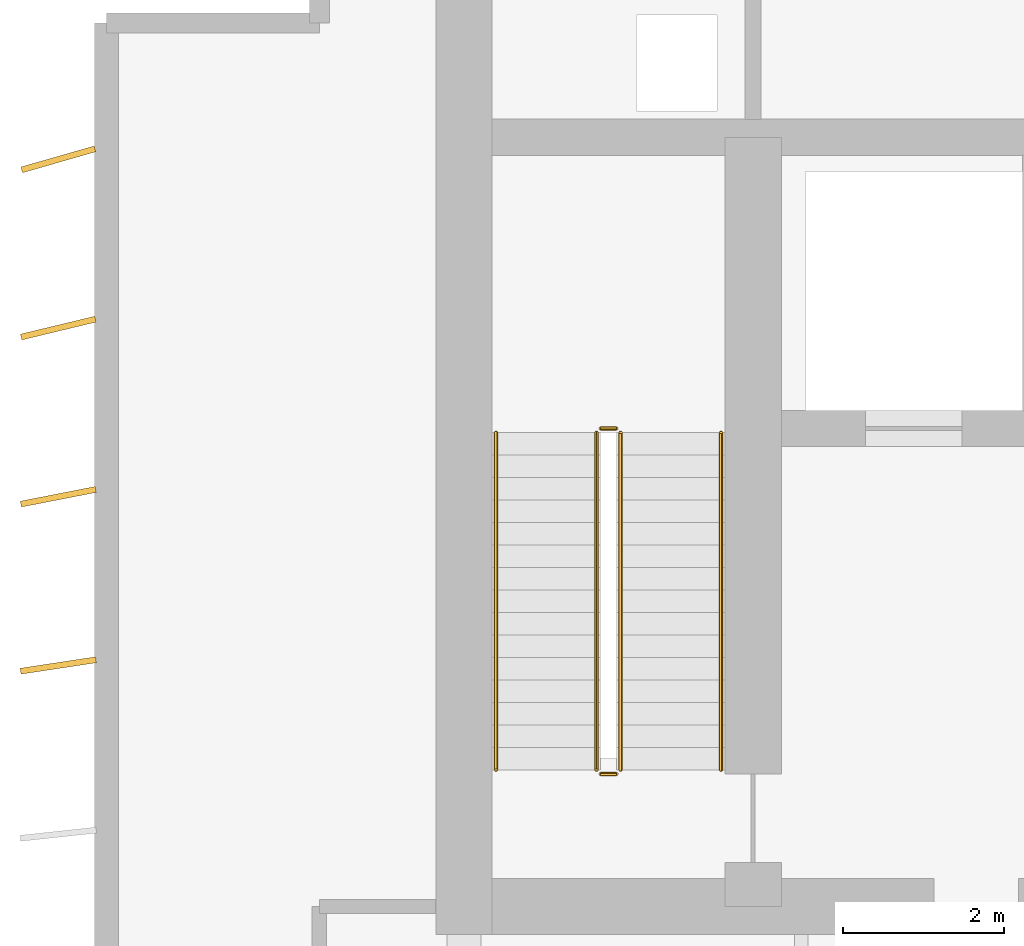
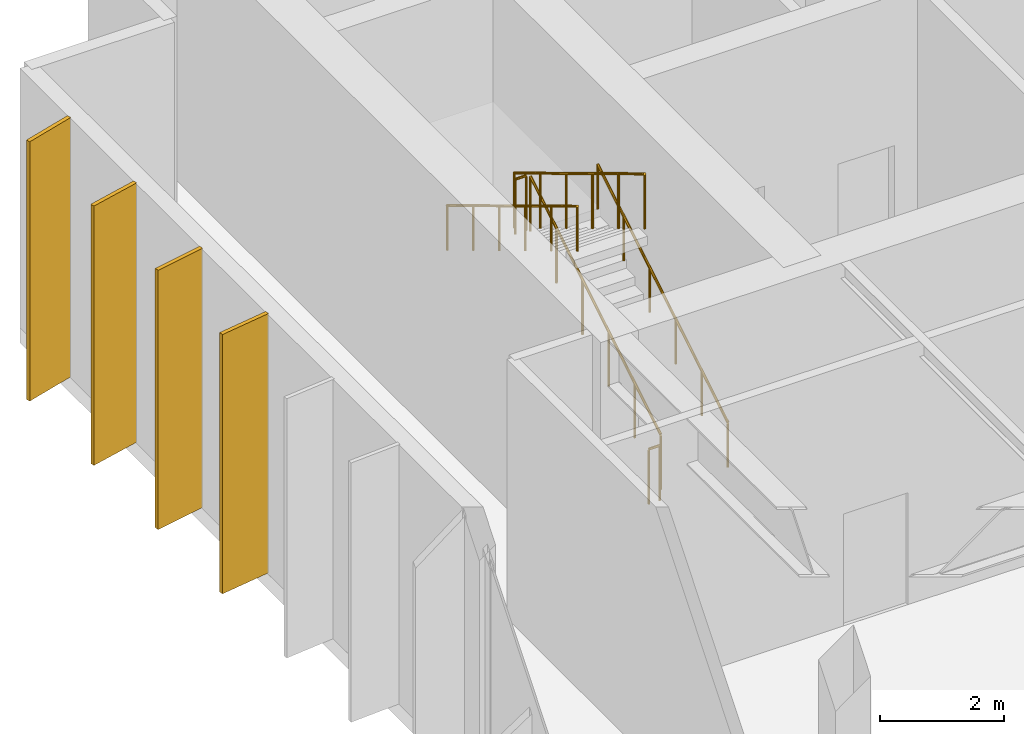
# One storey, part 8 of 9: 6 railings, 4 shading devices.
"""IFC4 building model written with IfcOpenShell, lengths in metres."""

from ifc_helpers import new_model, si_unit, direction, frame, origin, origin_2d, place, context, subcontext, project, spatial, rectangle, circle, extrude, material, material_profile, profile_set, type_object, element, save


model = new_model("IFC4")

# Units and contexts
model_context = context("Model", 3, precision=1e-05, world=origin(), true_north=direction((0.0, 1.0)))
body_context = subcontext(model_context, "Body", "Model", "MODEL_VIEW")
ifc_project = project(units=[si_unit("LENGTHUNIT", "METRE"), si_unit("AREAUNIT", "SQUARE_METRE"), si_unit("VOLUMEUNIT", "CUBIC_METRE"), si_unit("PLANEANGLEUNIT", "RADIAN"), si_unit("MASSUNIT", "GRAM", prefix="KILO")], contexts=[model_context])

# Site, building, storey
site_placement = place(None, origin())
site = spatial("IfcSite", under=ifc_project, at=site_placement, CompositionType="ELEMENT")
building_placement = place(site_placement, origin())
building = spatial("IfcBuilding", under=site, at=building_placement, Name="Caelmar Bay Residences", CompositionType="ELEMENT")
storey_placement = place(building_placement, frame((0.0, 0.0, 290.199951171875)))
storey = spatial("IfcBuildingStorey", under=building, at=storey_placement, Name="L80", CompositionType="ELEMENT", Elevation=290.199951171875)

# Railings
ifc_material_1 = material(Name="Painted galvanized steel stair guard 1100 mm", Category="steel")
railing_type_1 = type_object("IfcRailingType", Name="RL-GRD-1100", PredefinedType="GUARDRAIL", material=ifc_material_1)
railing_1_placement = place(storey_placement, frame((20.25, 38.699951171875, 0.168701171875)))
element("IfcRailing", 1, at=railing_1_placement, inside=storey, type_object=railing_type_1, Name="L80 ST1 stair guard 1", PredefinedType="GUARDRAIL", context=body_context, shape_type="SweptSolid", body=[
    extrude(circle(Radius=0.02392578125, at=origin_2d()), frame((0.0, 0.0, 1.076171875), z_axis=(0.0, 0.856476492594, 0.516186030065), x_axis=(-1.0, 0.0, 0.0)), (0.0, 0.0, 1.0), 4.90380859375),
    extrude(circle(Radius=0.02099609375, at=origin_2d()), origin(), (0.0, 0.0, 1.0), 1.052001953125),
    extrude(circle(Radius=0.02099609375, at=origin_2d()), frame((0.0, 0.840087890625, 0.50634765625)), (0.0, 0.0, 1.0), 1.052001953125),
    extrude(circle(Radius=0.02099609375, at=origin_2d()), frame((0.0, 1.679931640625, 1.012451171875)), (0.0, 0.0, 1.0), 1.052001953125),
    extrude(circle(Radius=0.02099609375, at=origin_2d()), frame((0.0, 2.52001953125, 1.518798828125)), (0.0, 0.0, 1.0), 1.052001953125),
    extrude(circle(Radius=0.02099609375, at=origin_2d()), frame((0.0, 3.35986328125, 2.02490234375)), (0.0, 0.0, 1.0), 1.052001953125),
    extrude(circle(Radius=0.02099609375, at=origin_2d()), frame((0.0, 4.199951171875, 2.53125)), (0.0, 0.0, 1.0), 1.052001953125),
])
railing_2_placement = place(storey_placement, frame((20.199951171875, 42.949951171875, 2.699951171875)))
element("IfcRailing", 2, at=railing_2_placement, inside=storey, type_object=railing_type_1, Name="L80 ST1 stair guard 2", PredefinedType="GUARDRAIL", context=body_context, shape_type="SweptSolid", body=[
    extrude(circle(Radius=0.02392578125, at=origin_2d()), frame((0.0, 0.0, 1.076171875), z_axis=(-1.0, 0.0, 0.0), x_axis=(0.0, -1.0, 0.0)), (0.0, 0.0, 1.0), 0.199951171875),
    extrude(circle(Radius=0.02099609375, at=origin_2d()), origin(), (0.0, 0.0, 1.0), 1.052001953125),
    extrude(circle(Radius=0.02099609375, at=origin_2d()), frame((-0.199951171875, 0.0, 0.0)), (0.0, 0.0, 1.0), 1.052001953125),
])
railing_3_placement = place(storey_placement, frame((19.949951171875, 42.89990234375, 2.868896484375)))
element("IfcRailing", 3, at=railing_3_placement, inside=storey, type_object=railing_type_1, Name="L80 ST1 stair guard 3", PredefinedType="GUARDRAIL", context=body_context, shape_type="SweptSolid", body=[
    extrude(circle(Radius=0.02392578125, at=origin_2d()), frame((0.0, 0.0, 1.076171875), z_axis=(0.0, -0.856476492594, 0.516186030065), x_axis=(1.0, 0.0, 0.0)), (0.0, 0.0, 1.0), 4.90380859375),
    extrude(circle(Radius=0.02099609375, at=origin_2d()), origin(), (0.0, 0.0, 1.0), 1.052001953125),
    extrude(circle(Radius=0.02099609375, at=origin_2d()), frame((0.0, -0.840087890625, 0.50634765625)), (0.0, 0.0, 1.0), 1.052001953125),
    extrude(circle(Radius=0.02099609375, at=origin_2d()), frame((0.0, -1.679931640625, 1.012451171875)), (0.0, 0.0, 1.0), 1.052001953125),
    extrude(circle(Radius=0.02099609375, at=origin_2d()), frame((0.0, -2.52001953125, 1.518798828125)), (0.0, 0.0, 1.0), 1.052001953125),
    extrude(circle(Radius=0.02099609375, at=origin_2d()), frame((0.0, -3.35986328125, 2.02490234375)), (0.0, 0.0, 1.0), 1.052001953125),
    extrude(circle(Radius=0.02099609375, at=origin_2d()), frame((0.0, -4.199951171875, 2.53125)), (0.0, 0.0, 1.0), 1.052001953125),
])
railing_4_placement = place(storey_placement, frame((20.199951171875, 38.64990234375, 0.0)))
element("IfcRailing", 4, at=railing_4_placement, inside=storey, type_object=railing_type_1, Name="L80 ST1 stair guard 4", PredefinedType="GUARDRAIL", context=body_context, shape_type="SweptSolid", body=[
    extrude(circle(Radius=0.02392578125, at=origin_2d()), frame((0.0, 0.0, 1.076171875), z_axis=(-1.0, 0.0, 0.0), x_axis=(0.0, -1.0, 0.0)), (0.0, 0.0, 1.0), 0.199951171875),
    extrude(circle(Radius=0.02099609375, at=origin_2d()), origin(), (0.0, 0.0, 1.0), 1.052001953125),
    extrude(circle(Radius=0.02099609375, at=origin_2d()), frame((-0.199951171875, 0.0, 0.0)), (0.0, 0.0, 1.0), 1.052001953125),
])
ifc_material_2 = material(Name="Brushed bronze stainless-steel tubular handrail 900 mm", Category="steel")
railing_type_2 = type_object("IfcRailingType", Name="RL-HND-900", PredefinedType="HANDRAIL", material=ifc_material_2)
railing_5_placement = place(storey_placement, frame((21.5, 38.699951171875, 0.168701171875)))
element("IfcRailing", 5, at=railing_5_placement, inside=storey, type_object=railing_type_2, Name="L80 ST1 stair handrail 1", PredefinedType="HANDRAIL", context=body_context, shape_type="SweptSolid", body=[
    extrude(circle(Radius=0.02392578125, at=origin_2d()), frame((0.0, 0.0, 0.8759765625), z_axis=(0.0, 0.856476492594, 0.516186030065), x_axis=(-1.0, 0.0, 0.0)), (0.0, 0.0, 1.0), 4.90380859375),
    extrude(circle(Radius=0.02099609375, at=origin_2d()), origin(), (0.0, 0.0, 1.0), 0.851806640625),
    extrude(circle(Radius=0.02099609375, at=origin_2d()), frame((0.0, 0.840087890625, 0.50634765625)), (0.0, 0.0, 1.0), 0.851806640625),
    extrude(circle(Radius=0.02099609375, at=origin_2d()), frame((0.0, 1.679931640625, 1.012451171875)), (0.0, 0.0, 1.0), 0.851806640625),
    extrude(circle(Radius=0.02099609375, at=origin_2d()), frame((0.0, 2.52001953125, 1.518798828125)), (0.0, 0.0, 1.0), 0.851806640625),
    extrude(circle(Radius=0.02099609375, at=origin_2d()), frame((0.0, 3.35986328125, 2.02490234375)), (0.0, 0.0, 1.0), 0.851806640625),
    extrude(circle(Radius=0.02099609375, at=origin_2d()), frame((0.0, 4.199951171875, 2.53125)), (0.0, 0.0, 1.0), 0.851806640625),
])
railing_6_placement = place(storey_placement, frame((18.699951171875, 42.89990234375, 2.868896484375)))
element("IfcRailing", 6, at=railing_6_placement, inside=storey, type_object=railing_type_2, Name="L80 ST1 stair handrail 2", PredefinedType="HANDRAIL", context=body_context, shape_type="SweptSolid", body=[
    extrude(circle(Radius=0.02392578125, at=origin_2d()), frame((0.0, 0.0, 0.8759765625), z_axis=(0.0, -0.856476492594, 0.516186030065), x_axis=(1.0, 0.0, 0.0)), (0.0, 0.0, 1.0), 4.90380859375),
    extrude(circle(Radius=0.02099609375, at=origin_2d()), origin(), (0.0, 0.0, 1.0), 0.851806640625),
    extrude(circle(Radius=0.02099609375, at=origin_2d()), frame((0.0, -0.840087890625, 0.50634765625)), (0.0, 0.0, 1.0), 0.851806640625),
    extrude(circle(Radius=0.02099609375, at=origin_2d()), frame((0.0, -1.679931640625, 1.012451171875)), (0.0, 0.0, 1.0), 0.851806640625),
    extrude(circle(Radius=0.02099609375, at=origin_2d()), frame((0.0, -2.52001953125, 1.518798828125)), (0.0, 0.0, 1.0), 0.851806640625),
    extrude(circle(Radius=0.02099609375, at=origin_2d()), frame((0.0, -3.35986328125, 2.02490234375)), (0.0, 0.0, 1.0), 0.851806640625),
    extrude(circle(Radius=0.02099609375, at=origin_2d()), frame((0.0, -4.199951171875, 2.53125)), (0.0, 0.0, 1.0), 0.851806640625),
])

# Shading devices
ifc_material_3 = material(Name="Anodised architectural bronze aluminium 6063-T6", Category="aluminium")
ifc_material_profile = material_profile(ifc_material_3, rectangle(XDim=0.074951171875, YDim=0.949951171875, at=origin_2d()), Name="BRONZE-FIN-75X950")
ifc_profile_set = profile_set([ifc_material_profile], Name="Anodised architectural bronze aluminium 6063-T6")
shading_device_type = type_object("IfcShadingDeviceType", Name="SHD-FIN-950", PredefinedType="USERDEFINED", material=ifc_profile_set)
for number, where, z_axis, x_axis, name in (
    (7, (13.25, 40.0, 0.0), (0.0, 0.0, 1.0), (-0.149880475413, 0.988704123128, 0.0), "L80 West Bronze Solar Fin 11"),
    (8, (13.25, 42.10009765625, 0.0), (0.0, 0.0, 1.0), (-0.192179419046, 0.981359807051, 0.0), "L80 West Bronze Solar Fin 12"),
    (9, (13.25, 44.199951171875, 0.0), (0.0, 0.0, 1.0), (-0.234124149178, 0.972206707841, 0.0), "L80 West Bronze Solar Fin 13"),
    (10, (13.25, 46.300048828125, 0.0), (0.0, 0.0, 1.0), (-0.275637355817, 0.961261695938, 0.0), "L80 West Bronze Solar Fin 14"),
):
    element("IfcShadingDevice", number, at=place(storey_placement, frame(where, z_axis=z_axis, x_axis=x_axis)), inside=storey, type_object=shading_device_type, Name=name, ObjectType="FIN", PredefinedType="USERDEFINED", context=body_context, shape_type="SweptSolid", body=[
        extrude(rectangle(XDim=0.074951171875, YDim=0.949951171875, at=origin_2d()), origin(), (0.0, 0.0, 1.0), 5.10009765625),
    ])

save(model, "model.ifc")
